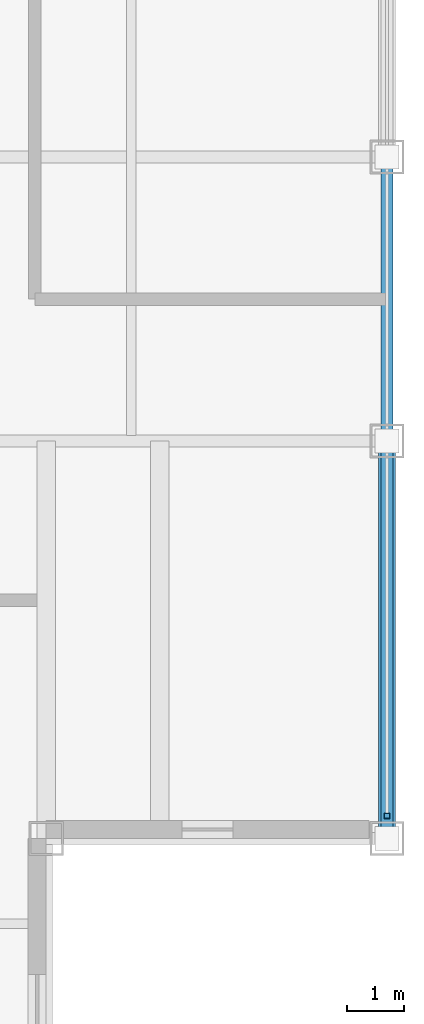
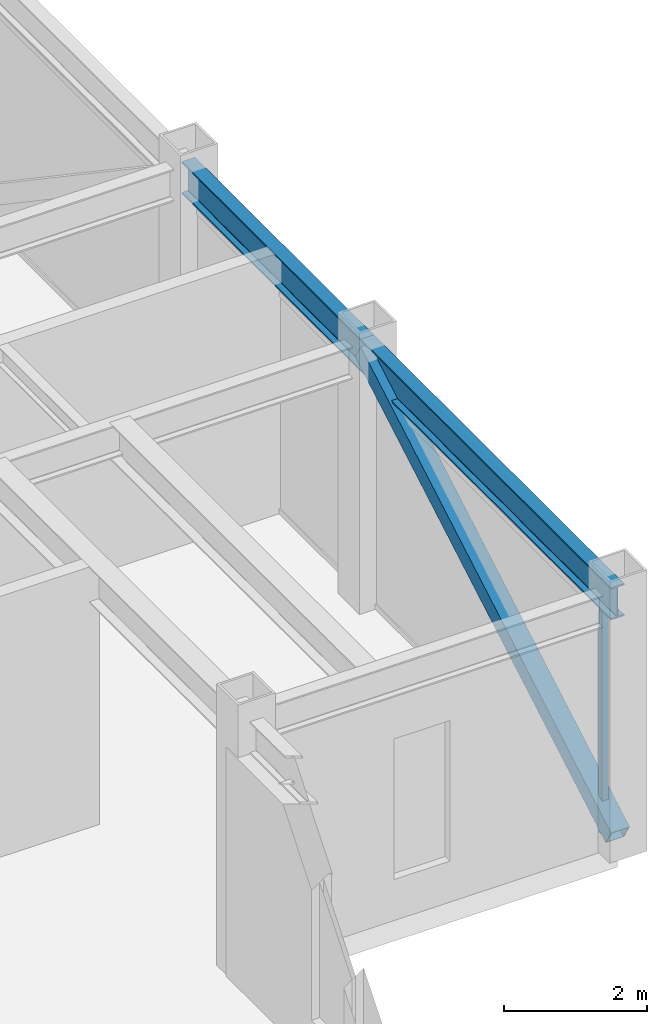
# One storey, part 10 of 27: 2 beams, 2 members, 1 element without a shape of its own.
"""IFC4 building model written with IfcOpenShell, lengths in metres."""

from ifc_helpers import new_model, si_unit, direction, frame, origin, origin_2d, place, context, subcontext, project, spatial, hollow_rectangle, i_section, extrude, source, transform, mapped, material, material_profile, profile_set, type_object, element, aggregate, save


model = new_model("IFC4")

# Units and contexts
model_context = context("Model", 3, precision=1e-05, world=origin(), true_north=direction((0.0, 1.0)))
body_context = subcontext(model_context, "Body", "Model", "MODEL_VIEW")
ifc_project = project(units=[si_unit("LENGTHUNIT", "METRE"), si_unit("AREAUNIT", "SQUARE_METRE"), si_unit("VOLUMEUNIT", "CUBIC_METRE"), si_unit("PLANEANGLEUNIT", "RADIAN"), si_unit("MASSUNIT", "GRAM", prefix="KILO")], contexts=[model_context])

# Site, building, storey
site_placement = place(None, origin())
site = spatial("IfcSite", under=ifc_project, at=site_placement, CompositionType="ELEMENT")
building_placement = place(site_placement, origin())
building = spatial("IfcBuilding", under=site, at=building_placement, Name="Khorayat Bourse Tower", CompositionType="ELEMENT")
storey_placement = place(building_placement, frame((0.0, 0.0, 394.699951171875)))
storey = spatial("IfcBuildingStorey", under=building, at=storey_placement, Name="L93", CompositionType="ELEMENT", Elevation=394.699951171875)

# Beams
ifc_material_1 = material(Name="Steel ASTM A992 Grade 50", Category="steel")
ifc_material_profile_1 = material_profile(ifc_material_1, i_section(OverallWidth=0.214111328125, OverallDepth=0.549072265625, WebThickness=0.0146484375, FlangeThickness=0.023681640625, FilletRadius=0.013916015625, at=origin_2d()), Name="W530X138")
ifc_profile_set_1 = profile_set([ifc_material_profile_1], Name="Steel ASTM A992 Grade 50")
beam_type = type_object("IfcBeamType", Name="BM-SPAN-530", PredefinedType="SPANDREL", material=ifc_profile_set_1)
shared_shape_1 = source(origin(), body_context, "Body", "SweptSolid", [
    extrude(i_section(OverallWidth=0.214111328125, OverallDepth=0.549072265625, WebThickness=0.0146484375, FlangeThickness=0.023681640625, FilletRadius=0.013916015625, at=origin_2d()), origin(), (0.0, 0.0, 1.0), 5.0),
])
beam_1_placement = place(storey_placement, frame((24.0, -11.0, 4.175537109375), z_axis=(0.0, 1.0, 0.0), x_axis=(-1.0, 0.0, 0.0)))
element("IfcBeam", 1, at=beam_1_placement, inside=storey, type_object=beam_type, Name="L93 BM-SPAN-530 BM-L93-SPN-033", PredefinedType="SPANDREL", context=body_context, shape_type="MappedRepresentation", body=[
    mapped(shared_shape_1, transform((0.0, 0.0, 0.0), scale=1.0)),
])
shared_shape_2 = source(origin(), body_context, "Body", "SweptSolid", [
    extrude(i_section(OverallWidth=0.214111328125, OverallDepth=0.549072265625, WebThickness=0.0146484375, FlangeThickness=0.023681640625, FilletRadius=0.013916015625, at=origin_2d()), origin(), (0.0, 0.0, 1.0), 7.0),
])
beam_2_placement = place(storey_placement, frame((24.0, -18.0, 4.175537109375), z_axis=(0.0, 1.0, 0.0), x_axis=(-1.0, 0.0, 0.0)))
element("IfcBeam", 2, at=beam_2_placement, inside=storey, type_object=beam_type, Name="L93 BM-SPAN-530 BM-L93-SPN-032", PredefinedType="SPANDREL", context=body_context, shape_type="MappedRepresentation", body=[
    mapped(shared_shape_2, transform((0.0, 0.0, 0.0), scale=1.0)),
])

# Member
ifc_material_2 = material(Name="Steel EN 10025-2 S355J2", Category="steel")
ifc_material_profile_2 = material_profile(ifc_material_2, hollow_rectangle(XDim=0.300048828125, YDim=0.300048828125, WallThickness=0.01611328125, at=origin_2d()), Name="HSS 300x300x16")
ifc_profile_set_2 = profile_set([ifc_material_profile_2], Name="Steel EN 10025-2 S355J2")
member_type_1 = type_object("IfcMemberType", Name="MBR-CROWN-300", PredefinedType="USERDEFINED", material=ifc_profile_set_2)
shared_shape_3 = source(origin(), body_context, "Body", "SweptSolid", [
    extrude(hollow_rectangle(XDim=0.300048828125, YDim=0.300048828125, WallThickness=0.01611328125, at=origin_2d()), origin(), (0.0, 0.0, 1.0), 8.087158203125),
])
member_1_placement = place(storey_placement, frame((24.0, -18.0, 0.199951171875), z_axis=(0.0, 0.865564731219, 0.500797060763), x_axis=(-1.0, 0.0, 0.0)))
element("IfcMember", 3, at=member_1_placement, inside=storey, type_object=member_type_1, Name="L93 Lantern Crown Frame Member 13", ObjectType="CROWN FRAME", PredefinedType="USERDEFINED", context=body_context, shape_type="MappedRepresentation", body=[
    mapped(shared_shape_3, transform((0.0, 0.0, 0.0), scale=1.0)),
])

# Curtain wall, member
ifc_material_3 = material(Name="Aluminium EN AW-6063 T6", Category="aluminium")
curtain_wall_type = type_object("IfcCurtainWallType", Name="CW-SYS-07", PredefinedType="NOTDEFINED", material=ifc_material_3)
curtain_wall_placement = place(storey_placement, origin())
curtain_wall = element("IfcCurtainWall", 4, at=curtain_wall_placement, inside=storey, type_object=curtain_wall_type, Name="L93 Curtain Wall CW-L93-E1", PredefinedType="NOTDEFINED")
ifc_material_profile_3 = material_profile(ifc_material_3, hollow_rectangle(XDim=0.10009765625, YDim=0.10009765625, WallThickness=0.0048828125, at=origin_2d()), Name="ALU 100x100x5")
ifc_profile_set_3 = profile_set([ifc_material_profile_3], Name="Aluminium EN AW-6063 T6")
member_type_2 = type_object("IfcMemberType", Name="CWM-LANTERN-100", PredefinedType="MULLION", material=ifc_profile_set_3)
shared_shape_4 = source(origin(), body_context, "Body", "SweptSolid", [
    extrude(hollow_rectangle(XDim=0.10009765625, YDim=0.10009765625, WallThickness=0.0048828125, at=origin_2d()), origin(), (0.0, 0.0, 1.0), 3.800048828125),
])
member_2_placement = place(storey_placement, frame((24.0, -17.60009765625, 0.0), z_axis=(0.0, 0.0, 1.0), x_axis=(-1.0, 0.0, 0.0)))
member_2 = element("IfcMember", 5, at=member_2_placement, type_object=member_type_2, Name="CW-L93-E1 Vertical Mullion 1", PredefinedType="MULLION", context=body_context, shape_type="MappedRepresentation", body=[
    mapped(shared_shape_4, transform((0.0, 0.0, 0.0), scale=1.0)),
])
aggregate(curtain_wall, [member_2])

save(model, "model.ifc")
